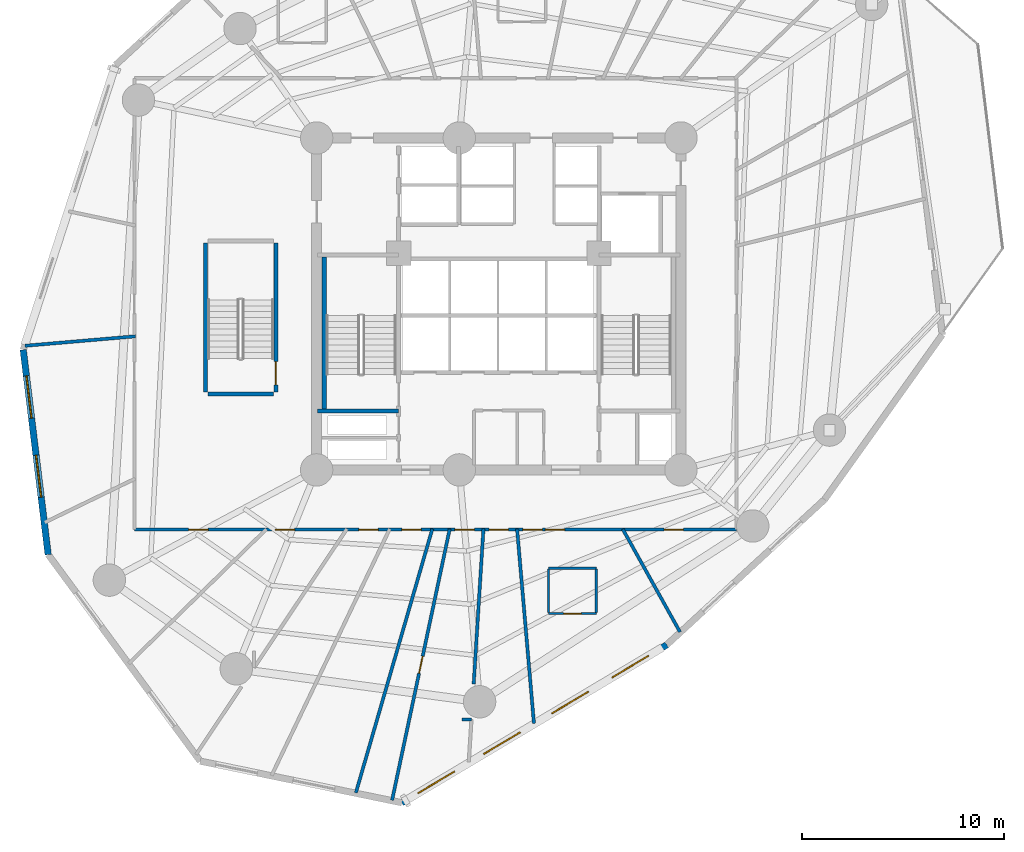
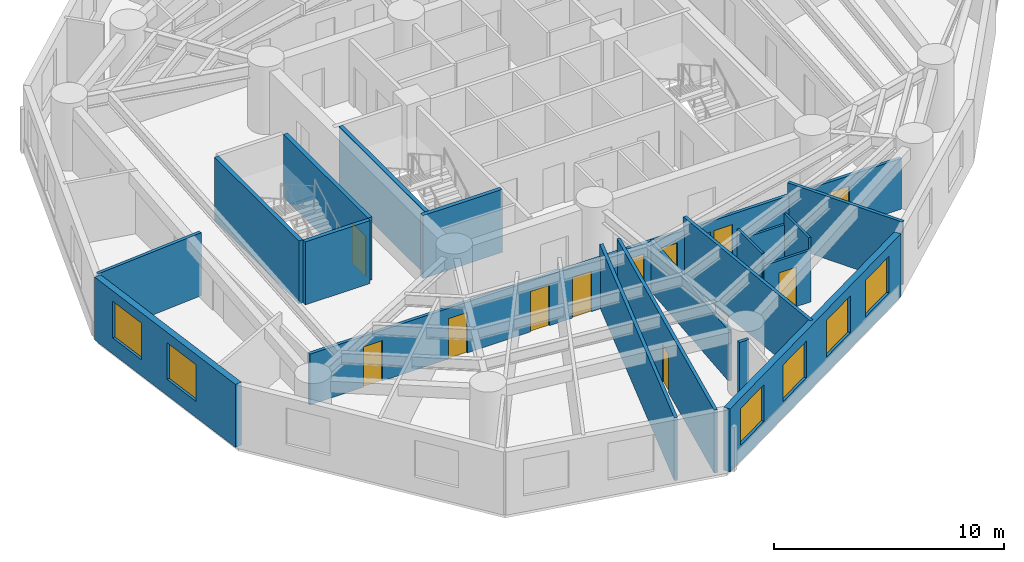
# One storey, part 3 of 10: 19 walls, 12 doors, 6 windows, 18 openings.
"""IFC4 building model written with IfcOpenShell, lengths in metres."""

from ifc_helpers import new_model, si_unit, direction, frame, frame_2d, origin, origin_with_axes, place, context, subcontext, project, spatial, rectangle, extrude, source, transform, mapped, material, layer, layer_set, type_object, element, fill, save


model = new_model("IFC4")

# Units and contexts
model_context = context("Model", 3, precision=1e-05, world=origin(), true_north=direction((0.0, 1.0)))
body_context = subcontext(model_context, "Body", "Model", "MODEL_VIEW")
ifc_project = project(units=[si_unit("LENGTHUNIT", "METRE"), si_unit("AREAUNIT", "SQUARE_METRE"), si_unit("VOLUMEUNIT", "CUBIC_METRE"), si_unit("PLANEANGLEUNIT", "RADIAN"), si_unit("MASSUNIT", "GRAM", prefix="KILO")], contexts=[model_context])

# Site, building, storey
site_placement = place(None, origin())
site = spatial("IfcSite", under=ifc_project, at=site_placement, CompositionType="ELEMENT")
building_placement = place(site_placement, origin())
building = spatial("IfcBuilding", under=site, at=building_placement, Name="Karkom Vertical University and Central Library", CompositionType="ELEMENT")
storey_placement = place(building_placement, frame((0.0, 0.0, 66.10009765625)))
storey = spatial("IfcBuildingStorey", under=building, at=storey_placement, Name="L17", CompositionType="ELEMENT", Elevation=66.10009765625)

# Wall, openings, windows
ifc_material_1 = material(Name="Brick-faced precast concrete C45/55", Category="masonry")
ifc_layer_1 = layer(ifc_material_1, 0.320068359375)
ifc_layer_set_1 = layer_set([ifc_layer_1], Name="Brick-faced precast concrete C45/55")
wall_type_1 = type_object("IfcWallType", Name="ENV-WL-BRK-320", PredefinedType="SOLIDWALL", material=ifc_layer_set_1)
wall_1_placement = place(storey_placement, frame((5.002685546875, 24.234375, 0.0), z_axis=(0.0, 0.0, 1.0), x_axis=(0.120836253114, -0.992672453498, 0.0)))
wall_1 = element("IfcWall", 1, at=wall_1_placement, inside=storey, type_object=wall_type_1, Name="Level 17 Brick-Faced Precast Facade Wall 02", PredefinedType="SOLIDWALL", context=body_context, shape_type="SweptSolid", body=[
    extrude(rectangle(XDim=10.195068359375, YDim=0.320068359375, at=frame_2d((5.09765625, 0.0))), origin(), (0.0, 0.0, 1.0), 3.349853515625),
])
opening_1_placement = place(wall_1_placement, frame((1.301025390625, 0.0, 0.85009765625)))
opening_1 = element("IfcOpeningElement", 2, at=opening_1_placement, cuts=wall_1, Name="Opening WN-03", PredefinedType="OPENING", context=body_context, shape_type="SweptSolid", body=[
    extrude(rectangle(XDim=2.10009765625, YDim=1.949951171875, at=frame_2d((1.050048828125, 0.97509765625))), frame((0.0, 0.169921875, 0.0), z_axis=(0.0, -1.0, 0.0), x_axis=(1.0, 0.0, 0.0)), (0.0, 0.0, 1.0), 0.340087890625),
])
opening_2_placement = place(wall_1_placement, frame((5.2431640625, 0.0, 0.85009765625)))
opening_2 = element("IfcOpeningElement", 3, at=opening_2_placement, cuts=wall_1, Name="Opening WN-03", PredefinedType="OPENING", context=body_context, shape_type="SweptSolid", body=[
    extrude(rectangle(XDim=2.10009765625, YDim=1.949951171875, at=frame_2d((1.050048828125, 0.97509765625))), frame((0.0, 0.169921875, 0.0), z_axis=(0.0, -1.0, 0.0), x_axis=(1.0, 0.0, 0.0)), (0.0, 0.0, 1.0), 0.340087890625),
])
ifc_material_2 = material(Name="Aluminium thermal-break frame with solar-control IGU", Category="aluminium")
window_type = type_object("IfcWindowType", Name="ENV-WIN-WN-03", PartitioningType="SINGLE_PANEL", PredefinedType="WINDOW", material=ifc_material_2)
shared_shape_1 = source(origin_with_axes(), body_context, "Body", "SweptSolid", [
    extrude(rectangle(XDim=2.10009765625, YDim=1.949951171875, at=frame_2d((1.050048828125, 0.97509765625))), frame((0.0, 0.030029296875, 0.0), z_axis=(0.0, -1.0, 0.0), x_axis=(1.0, 0.0, 0.0)), (0.0, 0.0, 1.0), 0.06005859375),
])
window_1_placement = place(opening_1_placement, origin())
window_1 = element("IfcWindow", 4, at=window_1_placement, inside=storey, type_object=window_type, Name="Level 17 Punched Window 2.1", OverallHeight=1.949951171875, OverallWidth=2.10009765625, PartitioningType="SINGLE_PANEL", PredefinedType="WINDOW", context=body_context, shape_type="MappedRepresentation", body=[
    mapped(shared_shape_1, transform((0.0, 0.0, 0.0), scale=1.0)),
])
fill(opening_1, window_1)
window_2_placement = place(opening_2_placement, origin())
window_2 = element("IfcWindow", 5, at=window_2_placement, inside=storey, type_object=window_type, Name="Level 17 Punched Window 2.2", OverallHeight=1.949951171875, OverallWidth=2.10009765625, PartitioningType="SINGLE_PANEL", PredefinedType="WINDOW", context=body_context, shape_type="MappedRepresentation", body=[
    mapped(shared_shape_1, transform((0.0, 0.0, 0.0), scale=1.0)),
])
fill(opening_2, window_2)

wall_2_placement = place(storey_placement, frame((23.7099609375, 1.85009765625, 0.0), z_axis=(0.0, 0.0, 1.0), x_axis=(0.858916766564, 0.512115209806, 0.0)))
wall_2 = element("IfcWall", 6, at=wall_2_placement, inside=storey, type_object=wall_type_1, Name="Level 17 Brick-Faced Precast Facade Wall 05", PredefinedType="SOLIDWALL", context=body_context, shape_type="SweptSolid", body=[
    extrude(rectangle(XDim=15.245361328125, YDim=0.320068359375, at=frame_2d((7.62255859375, 0.0))), origin(), (0.0, 0.0, 1.0), 3.349853515625),
])
opening_3_placement = place(wall_2_placement, frame((0.92578125, 0.0, 0.85009765625)))
opening_3 = element("IfcOpeningElement", 7, at=opening_3_placement, cuts=wall_2, Name="Opening WN-03", PredefinedType="OPENING", context=body_context, shape_type="SweptSolid", body=[
    extrude(rectangle(XDim=2.10009765625, YDim=1.949951171875, at=frame_2d((1.050048828125, 0.97509765625))), frame((0.0, 0.169921875, 0.0), z_axis=(0.0, -1.0, 0.0), x_axis=(1.0, 0.0, 0.0)), (0.0, 0.0, 1.0), 0.340087890625),
])
opening_4_placement = place(wall_2_placement, frame((4.712158203125, 0.0, 0.85009765625)))
opening_4 = element("IfcOpeningElement", 8, at=opening_4_placement, cuts=wall_2, Name="Opening WN-03", PredefinedType="OPENING", context=body_context, shape_type="SweptSolid", body=[
    extrude(rectangle(XDim=2.10009765625, YDim=1.949951171875, at=frame_2d((1.050048828125, 0.97509765625))), frame((0.0, 0.169921875, 0.0), z_axis=(0.0, -1.0, 0.0), x_axis=(1.0, 0.0, 0.0)), (0.0, 0.0, 1.0), 0.340087890625),
])
opening_5_placement = place(wall_2_placement, frame((8.630859375, 0.0, 0.85009765625)))
opening_5 = element("IfcOpeningElement", 9, at=opening_5_placement, cuts=wall_2, Name="Opening WN-03", PredefinedType="OPENING", context=body_context, shape_type="SweptSolid", body=[
    extrude(rectangle(XDim=2.10009765625, YDim=1.949951171875, at=frame_2d((1.050048828125, 0.97509765625))), frame((0.0, 0.169921875, 0.0), z_axis=(0.0, -1.0, 0.0), x_axis=(1.0, 0.0, 0.0)), (0.0, 0.0, 1.0), 0.340087890625),
])
opening_6_placement = place(wall_2_placement, frame((12.087158203125, 0.0, 0.85009765625)))
opening_6 = element("IfcOpeningElement", 10, at=opening_6_placement, cuts=wall_2, Name="Opening WN-03", PredefinedType="OPENING", context=body_context, shape_type="SweptSolid", body=[
    extrude(rectangle(XDim=2.10009765625, YDim=1.949951171875, at=frame_2d((1.050048828125, 0.97509765625))), frame((0.0, 0.169921875, 0.0), z_axis=(0.0, -1.0, 0.0), x_axis=(1.0, 0.0, 0.0)), (0.0, 0.0, 1.0), 0.340087890625),
])
window_3_placement = place(opening_3_placement, origin())
window_3 = element("IfcWindow", 11, at=window_3_placement, inside=storey, type_object=window_type, Name="Level 17 Punched Window 5.1", OverallHeight=1.949951171875, OverallWidth=2.10009765625, PartitioningType="SINGLE_PANEL", PredefinedType="WINDOW", context=body_context, shape_type="MappedRepresentation", body=[
    mapped(shared_shape_1, transform((0.0, 0.0, 0.0), scale=1.0)),
])
fill(opening_3, window_3)
window_4_placement = place(opening_4_placement, origin())
window_4 = element("IfcWindow", 12, at=window_4_placement, inside=storey, type_object=window_type, Name="Level 17 Punched Window 5.2", OverallHeight=1.949951171875, OverallWidth=2.10009765625, PartitioningType="SINGLE_PANEL", PredefinedType="WINDOW", context=body_context, shape_type="MappedRepresentation", body=[
    mapped(shared_shape_1, transform((0.0, 0.0, 0.0), scale=1.0)),
])
fill(opening_4, window_4)
window_5_placement = place(opening_5_placement, origin())
window_5 = element("IfcWindow", 13, at=window_5_placement, inside=storey, type_object=window_type, Name="Level 17 Punched Window 5.3", OverallHeight=1.949951171875, OverallWidth=2.10009765625, PartitioningType="SINGLE_PANEL", PredefinedType="WINDOW", context=body_context, shape_type="MappedRepresentation", body=[
    mapped(shared_shape_1, transform((0.0, 0.0, 0.0), scale=1.0)),
])
fill(opening_5, window_5)
window_6_placement = place(opening_6_placement, origin())
window_6 = element("IfcWindow", 14, at=window_6_placement, inside=storey, type_object=window_type, Name="Level 17 Punched Window 5.4", OverallHeight=1.949951171875, OverallWidth=2.10009765625, PartitioningType="SINGLE_PANEL", PredefinedType="WINDOW", context=body_context, shape_type="MappedRepresentation", body=[
    mapped(shared_shape_1, transform((0.0, 0.0, 0.0), scale=1.0)),
])
fill(opening_6, window_6)

# Wall, openings, doors
ifc_material_3 = material(Name="Insulated metal-stud drywall 160mm", Category="gypsum")
ifc_layer_2 = layer(ifc_material_3, 0.159912109375)
ifc_layer_set_2 = layer_set([ifc_layer_2], Name="Insulated metal-stud drywall 160mm")
wall_type_2 = type_object("IfcWallType", Name="INT-WL-COR-160", PredefinedType="PARTITIONING", material=ifc_layer_set_2)
wall_3_placement = place(storey_placement, frame((40.25, 15.35009765625, 0.0), z_axis=(0.0, 0.0, 1.0), x_axis=(-1.0, 0.0, 0.0)))
wall_3 = element("IfcWall", 15, at=wall_3_placement, inside=storey, type_object=wall_type_2, Name="Level 17 Interior Partition Wall L17-CORW-CW-001", PredefinedType="PARTITIONING", context=body_context, shape_type="SweptSolid", body=[
    extrude(rectangle(XDim=29.75, YDim=0.159912109375, at=frame_2d((14.875, 0.0))), origin(), (0.0, 0.0, 1.0), 2.699951171875),
])
opening_7_placement = place(wall_3_placement, frame((26.109619140625, 0.0, 0.0)))
opening_7 = element("IfcOpeningElement", 16, at=opening_7_placement, cuts=wall_3, Name="Opening FD-RM2", PredefinedType="OPENING", context=body_context, shape_type="SweptSolid", body=[
    extrude(rectangle(XDim=0.9599609375, YDim=2.14990234375, at=frame_2d((0.47998046875, 1.074951171875))), frame((0.0, 0.08984375, 0.0), z_axis=(0.0, -1.0, 0.0), x_axis=(1.0, 0.0, 0.0)), (0.0, 0.0, 1.0), 0.179931640625),
])
opening_8_placement = place(wall_3_placement, frame((21.83740234375, 0.0, 0.0)))
opening_8 = element("IfcOpeningElement", 17, at=opening_8_placement, cuts=wall_3, Name="Opening D-RM1", PredefinedType="OPENING", context=body_context, shape_type="SweptSolid", body=[
    extrude(rectangle(XDim=0.949951171875, YDim=2.14990234375, at=frame_2d((0.47509765625, 1.074951171875))), frame((0.0, 0.08984375, 0.0), z_axis=(0.0, -1.0, 0.0), x_axis=(1.0, 0.0, 0.0)), (0.0, 0.0, 1.0), 0.179931640625),
])
opening_9_placement = place(wall_3_placement, frame((17.7158203125, 0.0, 0.0)))
opening_9 = element("IfcOpeningElement", 18, at=opening_9_placement, cuts=wall_3, Name="Opening D-RM1", PredefinedType="OPENING", context=body_context, shape_type="SweptSolid", body=[
    extrude(rectangle(XDim=0.949951171875, YDim=2.14990234375, at=frame_2d((0.47509765625, 1.074951171875))), frame((0.0, 0.08984375, 0.0), z_axis=(0.0, -1.0, 0.0), x_axis=(1.0, 0.0, 0.0)), (0.0, 0.0, 1.0), 0.179931640625),
])
opening_10_placement = place(wall_3_placement, frame((15.589111328125, 0.0, 0.0)))
opening_10 = element("IfcOpeningElement", 19, at=opening_10_placement, cuts=wall_3, Name="Opening D-RM1", PredefinedType="OPENING", context=body_context, shape_type="SweptSolid", body=[
    extrude(rectangle(XDim=0.949951171875, YDim=2.14990234375, at=frame_2d((0.47509765625, 1.074951171875))), frame((0.0, 0.08984375, 0.0), z_axis=(0.0, -1.0, 0.0), x_axis=(1.0, 0.0, 0.0)), (0.0, 0.0, 1.0), 0.179931640625),
])
opening_11_placement = place(wall_3_placement, frame((12.9599609375, 0.0, 0.0)))
opening_11 = element("IfcOpeningElement", 20, at=opening_11_placement, cuts=wall_3, Name="Opening FD-RM2", PredefinedType="OPENING", context=body_context, shape_type="SweptSolid", body=[
    extrude(rectangle(XDim=0.9599609375, YDim=2.14990234375, at=frame_2d((0.47998046875, 1.074951171875))), frame((0.0, 0.08984375, 0.0), z_axis=(0.0, -1.0, 0.0), x_axis=(1.0, 0.0, 0.0)), (0.0, 0.0, 1.0), 0.179931640625),
])
opening_12_placement = place(wall_3_placement, frame((11.28076171875, 0.0, 0.0)))
opening_12 = element("IfcOpeningElement", 21, at=opening_12_placement, cuts=wall_3, Name="Opening D-RM1", PredefinedType="OPENING", context=body_context, shape_type="SweptSolid", body=[
    extrude(rectangle(XDim=0.949951171875, YDim=2.14990234375, at=frame_2d((0.47509765625, 1.074951171875))), frame((0.0, 0.08984375, 0.0), z_axis=(0.0, -1.0, 0.0), x_axis=(1.0, 0.0, 0.0)), (0.0, 0.0, 1.0), 0.179931640625),
])
opening_13_placement = place(wall_3_placement, frame((9.601318359375, 0.0, 0.0)))
opening_13 = element("IfcOpeningElement", 22, at=opening_13_placement, cuts=wall_3, Name="Opening FD-RM2", PredefinedType="OPENING", context=body_context, shape_type="SweptSolid", body=[
    extrude(rectangle(XDim=0.9599609375, YDim=2.14990234375, at=frame_2d((0.47998046875, 1.074951171875))), frame((0.0, 0.08984375, 0.0), z_axis=(0.0, -1.0, 0.0), x_axis=(1.0, 0.0, 0.0)), (0.0, 0.0, 1.0), 0.179931640625),
])
opening_14_placement = place(wall_3_placement, frame((8.49755859375, 0.0, 0.0)))
opening_14 = element("IfcOpeningElement", 23, at=opening_14_placement, cuts=wall_3, Name="Opening D-RM1", PredefinedType="OPENING", context=body_context, shape_type="SweptSolid", body=[
    extrude(rectangle(XDim=0.949951171875, YDim=2.14990234375, at=frame_2d((0.47509765625, 1.074951171875))), frame((0.0, 0.08984375, 0.0), z_axis=(0.0, -1.0, 0.0), x_axis=(1.0, 0.0, 0.0)), (0.0, 0.0, 1.0), 0.179931640625),
])
opening_15_placement = place(wall_3_placement, frame((2.63427734375, 0.0, 0.0)))
opening_15 = element("IfcOpeningElement", 24, at=opening_15_placement, cuts=wall_3, Name="Opening D-RM1", PredefinedType="OPENING", context=body_context, shape_type="SweptSolid", body=[
    extrude(rectangle(XDim=0.949951171875, YDim=2.14990234375, at=frame_2d((0.47509765625, 1.074951171875))), frame((0.0, 0.08984375, 0.0), z_axis=(0.0, -1.0, 0.0), x_axis=(1.0, 0.0, 0.0)), (0.0, 0.0, 1.0), 0.179931640625),
])
ifc_material_4 = material(Name="Fire-rated oak veneer door", Category="wood")
door_type_1 = type_object("IfcDoorType", Name="INT-DR-FRM2", OperationType="NOTDEFINED", PredefinedType="DOOR", material=ifc_material_4)
shared_shape_2 = source(origin_with_axes(), body_context, "Body", "SweptSolid", [
    extrude(rectangle(XDim=0.9599609375, YDim=2.14990234375, at=frame_2d((0.47998046875, 1.074951171875))), frame((0.0, 0.02490234375, 0.0), z_axis=(0.0, -1.0, 0.0), x_axis=(1.0, 0.0, 0.0)), (0.0, 0.0, 1.0), 0.050048828125),
])
door_1_placement = place(opening_7_placement, origin())
door_1 = element("IfcDoor", 25, at=door_1_placement, inside=storey, type_object=door_type_1, Name="Level 17 Room Entry Door 010", OperationType="SINGLE_SWING_LEFT", OverallHeight=2.14990234375, OverallWidth=0.9599609375, PredefinedType="DOOR", context=body_context, shape_type="MappedRepresentation", body=[
    mapped(shared_shape_2, transform((0.0, 0.0, 0.0), scale=1.0)),
])
fill(opening_7, door_1)
door_2_placement = place(opening_11_placement, origin())
door_2 = element("IfcDoor", 26, at=door_2_placement, inside=storey, type_object=door_type_1, Name="Level 17 Room Entry Door 050", OperationType="SINGLE_SWING_LEFT", OverallHeight=2.14990234375, OverallWidth=0.9599609375, PredefinedType="DOOR", context=body_context, shape_type="MappedRepresentation", body=[
    mapped(shared_shape_2, transform((0.0, 0.0, 0.0), scale=1.0)),
])
fill(opening_11, door_2)
door_3_placement = place(opening_13_placement, origin())
door_3 = element("IfcDoor", 27, at=door_3_placement, inside=storey, type_object=door_type_1, Name="Level 17 Room Entry Door 070", OperationType="SINGLE_SWING_LEFT", OverallHeight=2.14990234375, OverallWidth=0.9599609375, PredefinedType="DOOR", context=body_context, shape_type="MappedRepresentation", body=[
    mapped(shared_shape_2, transform((0.0, 0.0, 0.0), scale=1.0)),
])
fill(opening_13, door_3)
ifc_material_5 = material(Name="Solid-core oak veneer door", Category="wood")
door_type_2 = type_object("IfcDoorType", Name="INT-DR-RM1", OperationType="NOTDEFINED", PredefinedType="DOOR", material=ifc_material_5)
shared_shape_3 = source(origin_with_axes(), body_context, "Body", "SweptSolid", [
    extrude(rectangle(XDim=0.949951171875, YDim=2.14990234375, at=frame_2d((0.47509765625, 1.074951171875))), frame((0.0, 0.02490234375, 0.0), z_axis=(0.0, -1.0, 0.0), x_axis=(1.0, 0.0, 0.0)), (0.0, 0.0, 1.0), 0.050048828125),
])
door_4_placement = place(opening_8_placement, origin())
door_4 = element("IfcDoor", 28, at=door_4_placement, inside=storey, type_object=door_type_2, Name="Level 17 Room Entry Door 020", OperationType="SINGLE_SWING_RIGHT", OverallHeight=2.14990234375, OverallWidth=0.949951171875, PredefinedType="DOOR", context=body_context, shape_type="MappedRepresentation", body=[
    mapped(shared_shape_3, transform((0.0, 0.0, 0.0), scale=1.0)),
])
fill(opening_8, door_4)
door_5_placement = place(opening_9_placement, origin())
door_5 = element("IfcDoor", 29, at=door_5_placement, inside=storey, type_object=door_type_2, Name="Level 17 Room Entry Door 030", OperationType="SINGLE_SWING_LEFT", OverallHeight=2.14990234375, OverallWidth=0.949951171875, PredefinedType="DOOR", context=body_context, shape_type="MappedRepresentation", body=[
    mapped(shared_shape_3, transform((0.0, 0.0, 0.0), scale=1.0)),
])
fill(opening_9, door_5)
door_6_placement = place(opening_10_placement, origin())
door_6 = element("IfcDoor", 30, at=door_6_placement, inside=storey, type_object=door_type_2, Name="Level 17 Room Entry Door 040", OperationType="SINGLE_SWING_RIGHT", OverallHeight=2.14990234375, OverallWidth=0.949951171875, PredefinedType="DOOR", context=body_context, shape_type="MappedRepresentation", body=[
    mapped(shared_shape_3, transform((0.0, 0.0, 0.0), scale=1.0)),
])
fill(opening_10, door_6)
door_7_placement = place(opening_12_placement, origin())
door_7 = element("IfcDoor", 31, at=door_7_placement, inside=storey, type_object=door_type_2, Name="Level 17 Room Entry Door 060", OperationType="SINGLE_SWING_RIGHT", OverallHeight=2.14990234375, OverallWidth=0.949951171875, PredefinedType="DOOR", context=body_context, shape_type="MappedRepresentation", body=[
    mapped(shared_shape_3, transform((0.0, 0.0, 0.0), scale=1.0)),
])
fill(opening_12, door_7)
door_8_placement = place(opening_14_placement, origin())
door_8 = element("IfcDoor", 32, at=door_8_placement, inside=storey, type_object=door_type_2, Name="Level 17 Room Entry Door 080", OperationType="SINGLE_SWING_RIGHT", OverallHeight=2.14990234375, OverallWidth=0.949951171875, PredefinedType="DOOR", context=body_context, shape_type="MappedRepresentation", body=[
    mapped(shared_shape_3, transform((0.0, 0.0, 0.0), scale=1.0)),
])
fill(opening_14, door_8)
door_9_placement = place(opening_15_placement, origin())
door_9 = element("IfcDoor", 33, at=door_9_placement, inside=storey, type_object=door_type_2, Name="Level 17 Room Entry Door 090", OperationType="SINGLE_SWING_LEFT", OverallHeight=2.14990234375, OverallWidth=0.949951171875, PredefinedType="DOOR", context=body_context, shape_type="MappedRepresentation", body=[
    mapped(shared_shape_3, transform((0.0, 0.0, 0.0), scale=1.0)),
])
fill(opening_15, door_9)

# Wall, opening, door
wall_4_placement = place(storey_placement, frame((26.075439453125, 15.37939453125, 0.0), z_axis=(0.0, 0.0, 1.0), x_axis=(-0.207877719797, -0.978154820881, 0.0)))
wall_4 = element("IfcWall", 34, at=wall_4_placement, inside=storey, type_object=wall_type_2, Name="Level 17 Interior Partition Wall L17-PW-009", PredefinedType="PARTITIONING", context=body_context, shape_type="SweptSolid", body=[
    extrude(rectangle(XDim=13.703369140625, YDim=0.159912109375, at=frame_2d((6.8515625, 0.0))), origin(), (0.0, 0.0, 1.0), 3.349853515625),
])
opening_16_placement = place(wall_4_placement, frame((6.421630859375, 0.0, 0.0)))
opening_16 = element("IfcOpeningElement", 35, at=opening_16_placement, cuts=wall_4, Name="Opening FD-BTH2", PredefinedType="OPENING", context=body_context, shape_type="SweptSolid", body=[
    extrude(rectangle(XDim=0.860107421875, YDim=2.0400390625, at=frame_2d((0.43017578125, 1.02001953125))), frame((0.0, 0.08984375, 0.0), z_axis=(0.0, -1.0, 0.0), x_axis=(1.0, 0.0, 0.0)), (0.0, 0.0, 1.0), 0.179931640625),
])
ifc_material_6 = material(Name="Fire-rated moisture-resistant oak door", Category="wood")
door_type_3 = type_object("IfcDoorType", Name="INT-DR-FBTH2", OperationType="NOTDEFINED", PredefinedType="DOOR", material=ifc_material_6)
shared_shape_4 = source(origin_with_axes(), body_context, "Body", "SweptSolid", [
    extrude(rectangle(XDim=0.860107421875, YDim=2.0400390625, at=frame_2d((0.43017578125, 1.02001953125))), frame((0.0, 0.02490234375, 0.0), z_axis=(0.0, -1.0, 0.0), x_axis=(1.0, 0.0, 0.0)), (0.0, 0.0, 1.0), 0.050048828125),
])
door_10_placement = place(opening_16_placement, origin())
door_10 = element("IfcDoor", 36, at=door_10_placement, inside=storey, type_object=door_type_3, Name="Level 17 Academic Servery Tea Pantry Entry Door", OperationType="SINGLE_SWING_LEFT", OverallHeight=2.0400390625, OverallWidth=0.860107421875, PredefinedType="DOOR", context=body_context, shape_type="MappedRepresentation", body=[
    mapped(shared_shape_4, transform((0.0, 0.0, 0.0), scale=1.0)),
])
fill(opening_16, door_10)

# Walls
wall_5_placement = place(storey_placement, frame((25.21484375, 15.37890625, 0.0), z_axis=(0.0, 0.0, 1.0), x_axis=(-0.278333270269, -0.960484560345, 0.0)))
element("IfcWall", 37, at=wall_5_placement, inside=storey, type_object=wall_type_2, Name="Level 17 Interior Partition Wall L17-PW-008", PredefinedType="PARTITIONING", context=body_context, shape_type="SweptSolid", body=[
    extrude(rectangle(XDim=13.5703125, YDim=0.159912109375, at=frame_2d((6.78515625, 0.0))), origin(), (0.0, 0.0, 1.0), 3.349853515625),
])
wall_6_placement = place(storey_placement, frame((29.40380859375, 15.3798828125, 0.0), z_axis=(0.0, 0.0, 1.0), x_axis=(0.086405528393, -0.996260048714, 0.0)))
element("IfcWall", 38, at=wall_6_placement, inside=storey, type_object=wall_type_2, Name="Level 17 Interior Partition Wall L17-PW-013", PredefinedType="PARTITIONING", context=body_context, shape_type="SweptSolid", body=[
    extrude(rectangle(XDim=9.637939453125, YDim=0.159912109375, at=frame_2d((4.81884765625, 0.0))), origin(), (0.0, 0.0, 1.0), 3.349853515625),
])
wall_7_placement = place(storey_placement, frame((27.74169921875, 15.39501953125, 0.0), z_axis=(0.0, 0.0, 1.0), x_axis=(-0.062734238662, -0.998030267727, 0.0)))
element("IfcWall", 39, at=wall_7_placement, inside=storey, type_object=wall_type_2, Name="Level 17 Interior Partition Wall L17-PW-010", PredefinedType="PARTITIONING", context=body_context, shape_type="SweptSolid", body=[
    extrude(rectangle(XDim=7.68603515625, YDim=0.159912109375, at=frame_2d((3.843017578125, 0.0))), origin(), (0.0, 0.0, 1.0), 2.699951171875),
])
wall_8_placement = place(storey_placement, frame((34.62255859375, 15.376220703125, 0.0), z_axis=(0.0, 0.0, 1.0), x_axis=(0.486326647137, -0.873777083863, 0.0)))
element("IfcWall", 40, at=wall_8_placement, inside=storey, type_object=wall_type_2, Name="Level 17 Interior Partition Wall L17-PW-014", PredefinedType="PARTITIONING", context=body_context, shape_type="SweptSolid", body=[
    extrude(rectangle(XDim=5.81982421875, YDim=0.159912109375, at=frame_2d((2.909912109375, 0.0))), origin(), (0.0, 0.0, 1.0), 3.349853515625),
])
wall_9_placement = place(storey_placement, frame((5.0986328125, 24.43310546875, 0.0), z_axis=(0.0, 0.0, 1.0), x_axis=(0.996343608273, 0.085436609558, 0.0)))
element("IfcWall", 41, at=wall_9_placement, inside=storey, type_object=wall_type_2, Name="Level 17 Interior Partition Wall L17-PW-002", PredefinedType="PARTITIONING", context=body_context, shape_type="SweptSolid", body=[
    extrude(rectangle(XDim=5.466552734375, YDim=0.159912109375, at=frame_2d((2.7333984375, 0.0))), origin(), (0.0, 0.0, 1.0), 3.349853515625),
])
wall_10_placement = place(storey_placement, frame((26.672119140625, 5.964111328125, 0.0), z_axis=(0.0, 0.0, 1.0), x_axis=(1.0, 0.0, 0.0)))
element("IfcWall", 42, at=wall_10_placement, inside=storey, type_object=wall_type_2, Name="Level 17 Interior Partition Wall L17-PW-011", PredefinedType="PARTITIONING", context=body_context, shape_type="SweptSolid", body=[
    extrude(rectangle(XDim=0.476806640625, YDim=0.159912109375, at=frame_2d((0.23828125, 0.0))), origin(), (0.0, 0.0, 1.0), 3.349853515625),
])

# Wall, opening, door
ifc_material_7 = material(Name="Moisture-resistant drywall 120mm", Category="gypsum")
ifc_layer_3 = layer(ifc_material_7, 0.1201171875)
ifc_layer_set_3 = layer_set([ifc_layer_3], Name="Moisture-resistant drywall 120mm")
wall_type_3 = type_object("IfcWallType", Name="INT-WL-INT-120F", PredefinedType="PARTITIONING", material=ifc_layer_set_3)
wall_11_placement = place(storey_placement, frame((30.9560546875, 11.2041015625, 0.0), z_axis=(0.0, 0.0, 1.0), x_axis=(1.0, 0.0, 0.0)))
wall_11 = element("IfcWall", 43, at=wall_11_placement, inside=storey, type_object=wall_type_3, Name="Level 17 Interior Partition Wall L17-ENS-78-S", PredefinedType="PARTITIONING", context=body_context, shape_type="SweptSolid", body=[
    extrude(rectangle(XDim=2.35986328125, YDim=0.1201171875, at=frame_2d((1.179931640625, 0.0))), origin(), (0.0, 0.0, 1.0), 2.75),
])
opening_17_placement = place(wall_11_placement, frame((0.75, 0.0, 0.0)))
opening_17 = element("IfcOpeningElement", 44, at=opening_17_placement, cuts=wall_11, Name="Opening D-BATH", PredefinedType="OPENING", context=body_context, shape_type="SweptSolid", body=[
    extrude(rectangle(XDim=0.860107421875, YDim=2.10009765625, at=frame_2d((0.43017578125, 1.050048828125))), frame((0.0, 0.070068359375, 0.0), z_axis=(0.0, -1.0, 0.0), x_axis=(1.0, 0.0, 0.0)), (0.0, 0.0, 1.0), 0.14013671875),
])
ifc_material_8 = material(Name="Moisture-resistant oak door", Category="wood")
door_type_4 = type_object("IfcDoorType", Name="INT-DR-BATH", OperationType="NOTDEFINED", PredefinedType="DOOR", material=ifc_material_8)
shared_shape_5 = source(origin_with_axes(), body_context, "Body", "SweptSolid", [
    extrude(rectangle(XDim=0.860107421875, YDim=2.10009765625, at=frame_2d((0.43017578125, 1.050048828125))), frame((0.0, 0.02490234375, 0.0), z_axis=(0.0, -1.0, 0.0), x_axis=(1.0, 0.0, 0.0)), (0.0, 0.0, 1.0), 0.050048828125),
])
door_11_placement = place(opening_17_placement, origin())
door_11 = element("IfcDoor", 45, at=door_11_placement, inside=storey, type_object=door_type_4, Name="Level 17 En-Suite Bathroom Door 78", OperationType="SINGLE_SWING_LEFT", OverallHeight=2.10009765625, OverallWidth=0.860107421875, PredefinedType="DOOR", context=body_context, shape_type="MappedRepresentation", body=[
    mapped(shared_shape_5, transform((0.0, 0.0, 0.0), scale=1.0)),
])
fill(opening_17, door_11)

# Walls
wall_12_placement = place(storey_placement, frame((33.31591796875, 13.444091796875, 0.0), z_axis=(0.0, 0.0, 1.0), x_axis=(-1.0, 0.0, 0.0)))
element("IfcWall", 46, at=wall_12_placement, inside=storey, type_object=wall_type_3, Name="Level 17 Interior Partition Wall L17-ENS-78-N", PredefinedType="PARTITIONING", context=body_context, shape_type="SweptSolid", body=[
    extrude(rectangle(XDim=2.35986328125, YDim=0.1201171875, at=frame_2d((1.179931640625, 0.0))), origin(), (0.0, 0.0, 1.0), 2.75),
])
for number, where, z_axis, x_axis, name in (
    (47, (33.31591796875, 11.25390625, 0.0), (0.0, 0.0, 1.0), (0.0, 1.0, 0.0), "Level 17 Interior Partition Wall L17-ENS-78-E"),
    (48, (30.9560546875, 13.39404296875, 0.0), (0.0, 0.0, 1.0), (0.0, -1.0, 0.0), "Level 17 Interior Partition Wall L17-ENS-78-W"),
):
    element("IfcWall", number, at=place(storey_placement, frame(where, z_axis=z_axis, x_axis=x_axis)), inside=storey, type_object=wall_type_3, Name=name, PredefinedType="PARTITIONING", context=body_context, shape_type="SweptSolid", body=[
        extrude(rectangle(XDim=2.14013671875, YDim=0.1201171875, at=frame_2d((1.070068359375, 0.0))), origin(), (0.0, 0.0, 1.0), 3.349853515625),
    ])
ifc_material_9 = material(Name="Concrete C45/55", Category="concrete")
ifc_layer_4 = layer(ifc_material_9, 0.199951171875)
ifc_layer_set_4 = layer_set([ifc_layer_4], Name="Concrete C45/55")
wall_type_4 = type_object("IfcWallType", Name="STR-WL-ST-200", PredefinedType="SHEAR", material=ifc_layer_set_4)
wall_13_placement = place(storey_placement, frame((19.875, 21.320068359375, 0.0), z_axis=(0.0, 0.0, 1.0), x_axis=(0.0, 1.0, 0.0)))
element("IfcWall", 49, at=wall_13_placement, inside=storey, type_object=wall_type_4, Name="Level 17 Core Shaft Wall L17-CW-ST1-W", PredefinedType="SHEAR", context=body_context, shape_type="SweptSolid", body=[
    extrude(rectangle(XDim=7.5, YDim=0.199951171875, at=frame_2d((3.75, 0.0))), origin(), (0.0, 0.0, 1.0), 3.349853515625),
])
wall_14_placement = place(storey_placement, frame((14.014892578125, 22.14990234375, 0.0), z_axis=(0.0, 0.0, 1.0), x_axis=(0.0, 1.0, 0.0)))
element("IfcWall", 50, at=wall_14_placement, inside=storey, type_object=wall_type_4, Name="Level 17 Core Shaft Wall L17-W-ST3-W", PredefinedType="SHEAR", context=body_context, shape_type="SweptSolid", body=[
    extrude(rectangle(XDim=7.35009765625, YDim=0.199951171875, at=frame_2d((3.675048828125, 0.0))), origin(), (0.0, 0.0, 1.0), 3.349853515625),
])

# Wall, opening, door
wall_15_placement = place(storey_placement, frame((17.485107421875, 22.14990234375, 0.0), z_axis=(0.0, 0.0, 1.0), x_axis=(0.0, 1.0, 0.0)))
wall_15 = element("IfcWall", 51, at=wall_15_placement, inside=storey, type_object=wall_type_4, Name="Level 17 Core Shaft Wall L17-W-ST3-E", PredefinedType="SHEAR", context=body_context, shape_type="SweptSolid", body=[
    extrude(rectangle(XDim=7.35009765625, YDim=0.199951171875, at=frame_2d((3.675048828125, 0.0))), origin(), (0.0, 0.0, 1.0), 3.349853515625),
])
opening_18_placement = place(wall_15_placement, frame((0.35009765625, 0.0, 0.0)))
opening_18 = element("IfcOpeningElement", 52, at=opening_18_placement, cuts=wall_15, Name="Opening FD-ST1", PredefinedType="OPENING", context=body_context, shape_type="SweptSolid", body=[
    extrude(rectangle(XDim=1.14990234375, YDim=2.14990234375, at=frame_2d((0.574951171875, 1.074951171875))), frame((0.0, 0.10986328125, 0.0), z_axis=(0.0, -1.0, 0.0), x_axis=(1.0, 0.0, 0.0)), (0.0, 0.0, 1.0), 0.219970703125),
])
ifc_material_10 = material(Name="Painted steel acoustic fire door", Category="steel")
door_type_5 = type_object("IfcDoorType", Name="INT-DR-ST1", OperationType="NOTDEFINED", PredefinedType="DOOR", material=ifc_material_10)
shared_shape_6 = source(origin_with_axes(), body_context, "Body", "SweptSolid", [
    extrude(rectangle(XDim=1.14990234375, YDim=2.14990234375, at=frame_2d((0.574951171875, 1.074951171875))), frame((0.0, 0.02490234375, 0.0), z_axis=(0.0, -1.0, 0.0), x_axis=(1.0, 0.0, 0.0)), (0.0, 0.0, 1.0), 0.050048828125),
])
door_12_placement = place(opening_18_placement, origin())
door_12 = element("IfcDoor", 53, at=door_12_placement, inside=storey, type_object=door_type_5, Name="Level 17 Stair ST-3 Fire Door", OperationType="SINGLE_SWING_RIGHT", OverallHeight=2.14990234375, OverallWidth=1.14990234375, PredefinedType="DOOR", context=body_context, shape_type="MappedRepresentation", body=[
    mapped(shared_shape_6, transform((0.0, 0.0, 0.0), scale=1.0)),
])
fill(opening_18, door_12)

# Walls
wall_16_placement = place(storey_placement, frame((19.550048828125, 21.215087890625, 0.0), z_axis=(0.0, 0.0, 1.0), x_axis=(1.0, 0.0, 0.0)))
element("IfcWall", 54, at=wall_16_placement, inside=storey, type_object=wall_type_4, Name="Level 17 Core Shaft Wall L17-CW-ST1-S", PredefinedType="SHEAR", context=body_context, shape_type="SweptSolid", body=[
    extrude(rectangle(XDim=3.994873046875, YDim=0.199951171875, at=frame_2d((1.99755859375, 0.0))), origin(), (0.0, 0.0, 1.0), 3.349853515625),
])
wall_17_placement = place(storey_placement, frame((14.1201171875, 22.044921875, 0.0), z_axis=(0.0, 0.0, 1.0), x_axis=(1.0, 0.0, 0.0)))
element("IfcWall", 55, at=wall_17_placement, inside=storey, type_object=wall_type_4, Name="Level 17 Core Shaft Wall L17-W-ST3-S", PredefinedType="SHEAR", context=body_context, shape_type="SweptSolid", body=[
    extrude(rectangle(XDim=3.259765625, YDim=0.199951171875, at=frame_2d((1.6298828125, 0.0))), origin(), (0.0, 0.0, 1.0), 3.349853515625),
])

save(model, "model.ifc")
